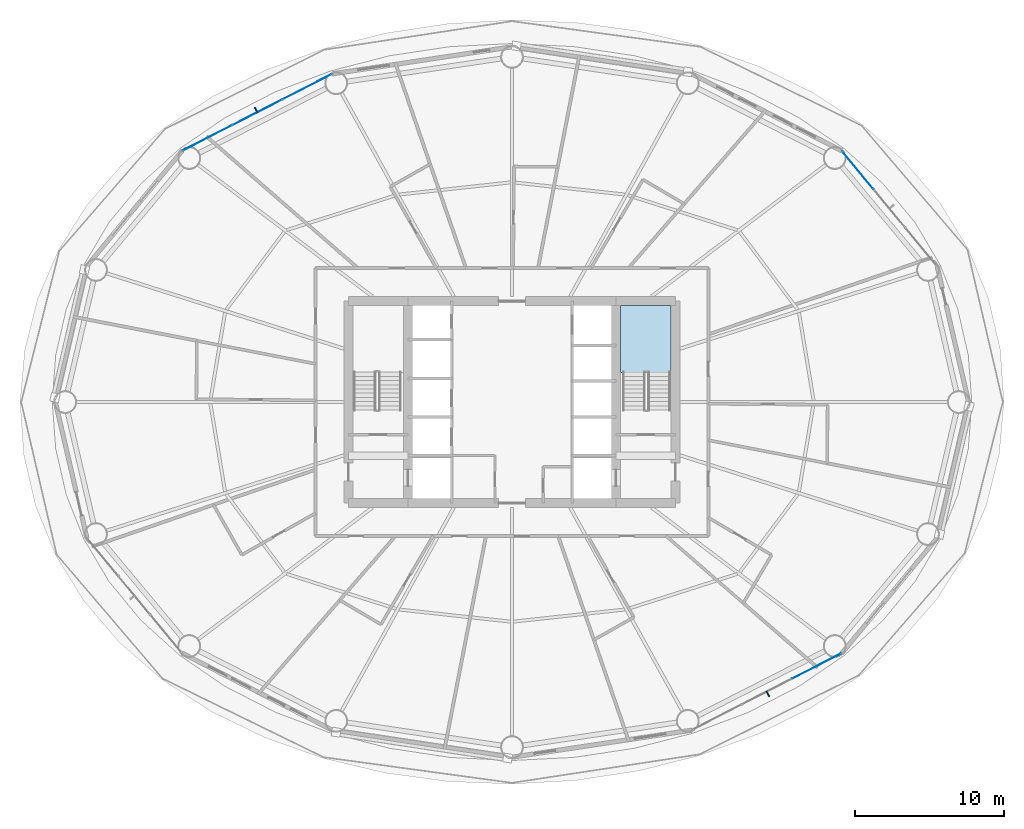
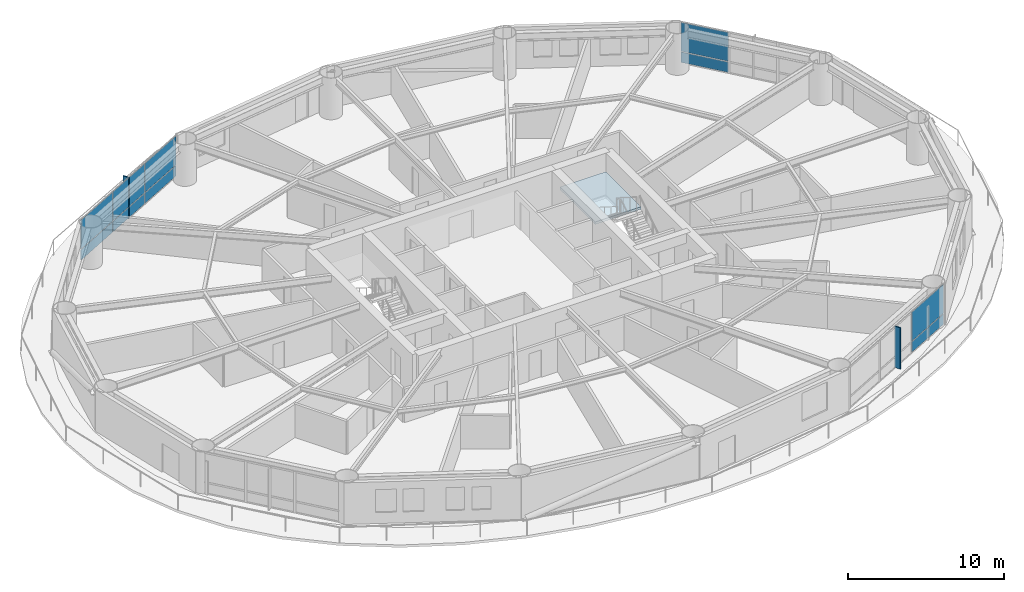
# One storey, part 18 of 27: 12 plates, 1 slab, 4 elements without a shape of their own.
"""IFC4 building model written with IfcOpenShell, lengths in metres."""

from ifc_helpers import new_model, si_unit, direction, frame, origin, origin_2d, place, context, subcontext, project, spatial, polyline, rectangle, outline, extrude, material, layer, layer_set, type_object, element, aggregate, save


model = new_model("IFC4")

# Units and contexts
model_context = context("Model", 3, precision=1e-05, world=origin(), true_north=direction((0.0, 1.0)))
body_context = subcontext(model_context, "Body", "Model", "MODEL_VIEW")
ifc_project = project(units=[si_unit("LENGTHUNIT", "METRE"), si_unit("AREAUNIT", "SQUARE_METRE"), si_unit("VOLUMEUNIT", "CUBIC_METRE"), si_unit("PLANEANGLEUNIT", "RADIAN"), si_unit("MASSUNIT", "GRAM", prefix="KILO")], contexts=[model_context])

# Site, building, storey
site_placement = place(None, origin())
site = spatial("IfcSite", under=ifc_project, at=site_placement, CompositionType="ELEMENT")
building_placement = place(site_placement, origin())
building = spatial("IfcBuilding", under=site, at=building_placement, Name="Sarneth Arch Tower", CompositionType="ELEMENT")
storey_placement = place(building_placement, frame((0.0, 0.0, 75.0)))
storey = spatial("IfcBuildingStorey", under=building, at=storey_placement, Name="L18", CompositionType="ELEMENT", Elevation=75.0)

# Curtain wall, plates
ifc_material_1 = material(Name="Anodised aluminium Type AA25 and solar-control low-e laminated IGU", Category="aluminium")
ifc_layer_1 = layer(ifc_material_1, 0.159912109375)
ifc_layer_set_1 = layer_set([ifc_layer_1], Name="Anodised aluminium Type AA25 and solar-control low-e laminated IGU")
curtain_wall_type = type_object("IfcCurtainWallType", Name="CW-HOTEL-LOW", PredefinedType="NOTDEFINED", material=ifc_layer_set_1)
curtain_wall_1_placement = place(storey_placement, origin())
curtain_wall_1 = element("IfcCurtainWall", 1, at=curtain_wall_1_placement, inside=storey, type_object=curtain_wall_type, Name="L18 Unitised curtain wall facet 02", PredefinedType="NOTDEFINED")
ifc_material_2 = material(Name="Solar-control low-e laminated IGU", Category="glass")
ifc_layer_2 = layer(ifc_material_2, 0.028076171875)
ifc_layer_set_2 = layer_set([ifc_layer_2], Name="Solar-control low-e laminated IGU")
plate_type_1 = type_object("IfcPlateType", Name="CW-PANEL", PredefinedType="CURTAIN_PANEL", material=ifc_layer_set_2)
plate_1_placement = place(storey_placement, frame((71.25146484375, 57.5830078125, 0.06005859375), z_axis=(0.0, 0.0, 1.0), x_axis=(-0.637291340827, 0.770622960278, 0.0)))
plate_1 = element("IfcPlate", 2, at=plate_1_placement, type_object=plate_type_1, Name="Curtain wall glazed vision pane CW-L18-F02/P02-00", PredefinedType="CURTAIN_PANEL", context=body_context, shape_type="SweptSolid", body=[
    extrude(rectangle(XDim=3.260986328125, YDim=0.028076171875, at=origin_2d()), origin(), (0.0, 0.0, 1.0), 0.81005859375),
])
plate_2_placement = place(storey_placement, frame((71.25146484375, 57.5830078125, 0.93017578125), z_axis=(0.0, 0.0, 1.0), x_axis=(-0.637291340827, 0.770622960278, 0.0)))
plate_2 = element("IfcPlate", 3, at=plate_2_placement, type_object=plate_type_1, Name="Curtain wall glazed vision pane CW-L18-F02/P02-01", PredefinedType="CURTAIN_PANEL", context=body_context, shape_type="SweptSolid", body=[
    extrude(rectangle(XDim=3.260986328125, YDim=0.028076171875, at=origin_2d()), origin(), (0.0, 0.0, 1.0), 2.260009765625),
])
aggregate(curtain_wall_1, [plate_1, plate_2])

curtain_wall_2_placement = place(storey_placement, origin())
curtain_wall_2 = element("IfcCurtainWall", 4, at=curtain_wall_2_placement, inside=storey, type_object=curtain_wall_type, Name="L18 Unitised curtain wall facet 06", PredefinedType="NOTDEFINED")
plate_3_placement = place(storey_placement, frame((34.22607421875, 63.192626953125, 0.06005859375), z_axis=(0.0, 0.0, 1.0), x_axis=(-0.889854100456, -0.456245197127, 0.0)))
plate_3 = element("IfcPlate", 5, at=plate_3_placement, type_object=plate_type_1, Name="Curtain wall glazed vision pane CW-L18-F06/P00-00", PredefinedType="CURTAIN_PANEL", context=body_context, shape_type="SweptSolid", body=[
    extrude(rectangle(XDim=3.69189453125, YDim=0.028076171875, at=origin_2d()), origin(), (0.0, 0.0, 1.0), 0.81005859375),
])
plate_4_placement = place(storey_placement, frame((34.22607421875, 63.192626953125, 0.93017578125), z_axis=(0.0, 0.0, 1.0), x_axis=(-0.889854100456, -0.456245197127, 0.0)))
plate_4 = element("IfcPlate", 6, at=plate_4_placement, type_object=plate_type_1, Name="Curtain wall glazed vision pane CW-L18-F06/P00-01", PredefinedType="CURTAIN_PANEL", context=body_context, shape_type="SweptSolid", body=[
    extrude(rectangle(XDim=3.69189453125, YDim=0.028076171875, at=origin_2d()), origin(), (0.0, 0.0, 1.0), 2.260009765625),
])
plate_5_placement = place(storey_placement, frame((30.8740234375, 61.473876953125, 0.06005859375), z_axis=(0.0, 0.0, 1.0), x_axis=(-0.889854100456, -0.456245197127, 0.0)))
plate_5 = element("IfcPlate", 7, at=plate_5_placement, type_object=plate_type_1, Name="Curtain wall glazed vision pane CW-L18-F06/P01-00", PredefinedType="CURTAIN_PANEL", context=body_context, shape_type="SweptSolid", body=[
    extrude(rectangle(XDim=3.721923828125, YDim=0.028076171875, at=origin_2d()), origin(), (0.0, 0.0, 1.0), 0.81005859375),
])
plate_6_placement = place(storey_placement, frame((30.8740234375, 61.473876953125, 0.93017578125), z_axis=(0.0, 0.0, 1.0), x_axis=(-0.889854100456, -0.456245197127, 0.0)))
plate_6 = element("IfcPlate", 8, at=plate_6_placement, type_object=plate_type_1, Name="Curtain wall glazed vision pane CW-L18-F06/P01-01", PredefinedType="CURTAIN_PANEL", context=body_context, shape_type="SweptSolid", body=[
    extrude(rectangle(XDim=3.721923828125, YDim=0.028076171875, at=origin_2d()), origin(), (0.0, 0.0, 1.0), 2.260009765625),
])
plate_7_placement = place(storey_placement, frame((27.52197265625, 59.75537109375, 0.06005859375), z_axis=(0.0, 0.0, 1.0), x_axis=(-0.889854100456, -0.456245197127, 0.0)))
plate_7 = element("IfcPlate", 9, at=plate_7_placement, type_object=plate_type_1, Name="Curtain wall glazed vision pane CW-L18-F06/P02-00", PredefinedType="CURTAIN_PANEL", context=body_context, shape_type="SweptSolid", body=[
    extrude(rectangle(XDim=3.69189453125, YDim=0.028076171875, at=origin_2d()), origin(), (0.0, 0.0, 1.0), 0.81005859375),
])
plate_8_placement = place(storey_placement, frame((27.52197265625, 59.75537109375, 0.93017578125), z_axis=(0.0, 0.0, 1.0), x_axis=(-0.889854100456, -0.456245197127, 0.0)))
plate_8 = element("IfcPlate", 10, at=plate_8_placement, type_object=plate_type_1, Name="Curtain wall glazed vision pane CW-L18-F06/P02-01", PredefinedType="CURTAIN_PANEL", context=body_context, shape_type="SweptSolid", body=[
    extrude(rectangle(XDim=3.69189453125, YDim=0.028076171875, at=origin_2d()), origin(), (0.0, 0.0, 1.0), 2.260009765625),
])
aggregate(curtain_wall_2, [plate_3, plate_4, plate_5, plate_6, plate_7, plate_8])

curtain_wall_3_placement = place(storey_placement, origin())
curtain_wall_3 = element("IfcCurtainWall", 11, at=curtain_wall_3_placement, inside=storey, type_object=curtain_wall_type, Name="L18 Unitised curtain wall facet 14", PredefinedType="NOTDEFINED")
plate_9_placement = place(storey_placement, frame((68.47802734375, 24.24462890625, 0.06005859375), z_axis=(0.0, 0.0, 1.0), x_axis=(0.889854100456, 0.456245197127, 0.0)))
plate_9 = element("IfcPlate", 12, at=plate_9_placement, type_object=plate_type_1, Name="Curtain wall glazed vision pane CW-L18-F14/P02-00", PredefinedType="CURTAIN_PANEL", context=body_context, shape_type="SweptSolid", body=[
    extrude(rectangle(XDim=3.69189453125, YDim=0.028076171875, at=origin_2d()), origin(), (0.0, 0.0, 1.0), 0.81005859375),
])
plate_10_placement = place(storey_placement, frame((68.47802734375, 24.24462890625, 0.93017578125), z_axis=(0.0, 0.0, 1.0), x_axis=(0.889854100456, 0.456245197127, 0.0)))
plate_10 = element("IfcPlate", 13, at=plate_10_placement, type_object=plate_type_1, Name="Curtain wall glazed vision pane CW-L18-F14/P02-01", PredefinedType="CURTAIN_PANEL", context=body_context, shape_type="SweptSolid", body=[
    extrude(rectangle(XDim=3.69189453125, YDim=0.028076171875, at=origin_2d()), origin(), (0.0, 0.0, 1.0), 2.260009765625),
])
aggregate(curtain_wall_3, [plate_9, plate_10])

# Plates
ifc_material_3 = material(Name="Extruded glazed terracotta baguette fin on Aluminium 6063-T6 carrier", Category="masonry")
ifc_layer_3 = layer(ifc_material_3, 0.080078125)
ifc_layer_set_3 = layer_set([ifc_layer_3], Name="Extruded glazed terracotta baguette fin on Aluminium 6063-T6 carrier")
plate_type_2 = type_object("IfcPlateType", Name="SHADE-TERRA-FIN", PredefinedType="SHEET", material=ifc_layer_set_3)
for number, where, z_axis, x_axis, name in (
    (14, (30.79638671875, 61.625244140625, 0.010009765625), (0.0, 0.0, 1.0), (-0.4563215909, 0.889814927768, 0.0), "L18 Terracotta vertical shading fin 06"),
    (15, (65.20361328125, 22.374755859375, 0.010009765625), (0.0, 0.0, 1.0), (0.4563215909, -0.889814927768, 0.0), "L18 Terracotta vertical shading fin 14"),
):
    element("IfcPlate", number, at=place(storey_placement, frame(where, z_axis=z_axis, x_axis=x_axis)), inside=storey, type_object=plate_type_2, Name=name, PredefinedType="SHEET", context=body_context, shape_type="SweptSolid", body=[
        extrude(rectangle(XDim=0.419921875, YDim=0.080078125, at=origin_2d()), origin(), (0.0, 0.0, 1.0), 3.22998046875),
    ])

# Stair, slab
ifc_material_4 = material(Name="Concrete C50/60", Category="concrete")
stair_type = type_object("IfcStairType", Name="STAIR-CORE-RC", PredefinedType="HALF_TURN_STAIR", material=ifc_material_4)
stair_placement = place(storey_placement, origin())
stair = element("IfcStair", 16, at=stair_placement, inside=storey, type_object=stair_type, Name="L18 Core Exit Stair 2", PredefinedType="HALF_TURN_STAIR")
ifc_material_5 = material(Name="Concrete C50/60", Category="concrete")
ifc_layer_4 = layer(ifc_material_5, 0.199951171875)
ifc_layer_set_4 = layer_set([ifc_layer_4], Name="Concrete C50/60")
slab_type = type_object("IfcSlabType", Name="SLAB-LANDING-200", PredefinedType="LANDING", material=ifc_layer_set_4)
slab_placement = place(storey_placement, frame((0.0, 0.0, 1.60009765625)))
slab = element("IfcSlab", 17, at=slab_placement, type_object=slab_type, Name="ST-2 landing 1", PredefinedType="LANDING", context=body_context, shape_type="SweptSolid", body=[
    extrude(outline(polyline([(55.300048828125, 43.985107421875), (58.699951171875, 43.985107421875), (58.699951171875, 48.5), (55.300048828125, 48.5), (55.300048828125, 43.985107421875)])), origin(), (0.0, 0.0, 1.0), 0.199951171875),
])
aggregate(stair, [slab])

save(model, "model.ifc")
